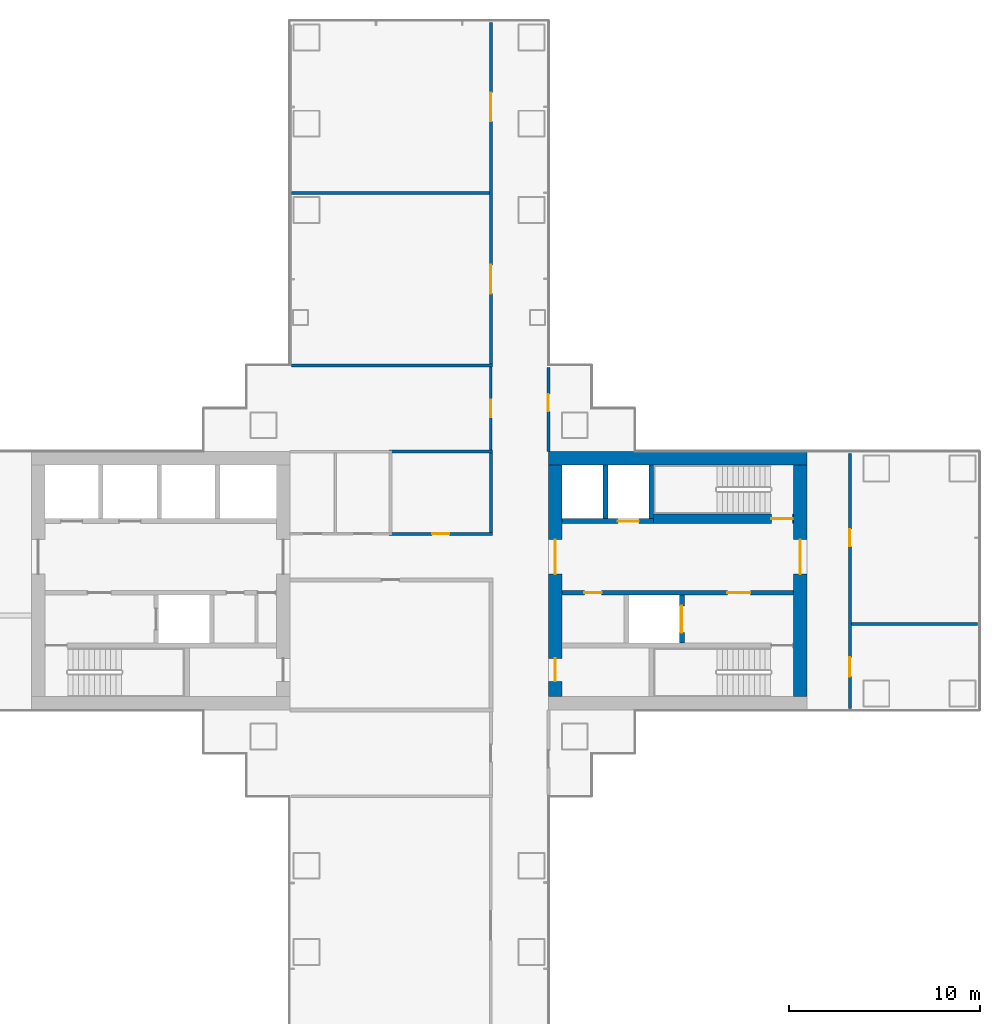
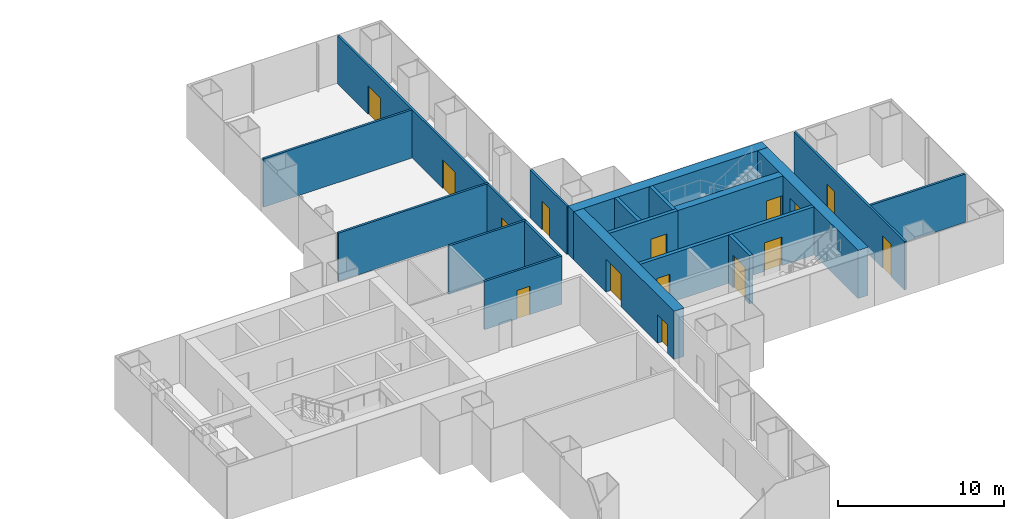
# One storey, part 17 of 21: 19 walls, 15 doors, 15 openings.
"""IFC4 building model written with IfcOpenShell, lengths in metres."""

from ifc_helpers import new_model, si_unit, direction, frame, frame_2d, origin, place, context, subcontext, project, spatial, rectangle, extrude, material, layer, layer_set, type_object, element, fill, save


model = new_model("IFC4")

# Units and contexts
model_context = context("Model", 3, precision=1e-05, world=origin(), true_north=direction((0.0, 1.0)))
body_context = subcontext(model_context, "Body", "Model", "MODEL_VIEW")
ifc_project = project(units=[si_unit("LENGTHUNIT", "METRE"), si_unit("AREAUNIT", "SQUARE_METRE"), si_unit("VOLUMEUNIT", "CUBIC_METRE"), si_unit("PLANEANGLEUNIT", "RADIAN"), si_unit("MASSUNIT", "GRAM", prefix="KILO")], contexts=[model_context])

# Site, building, storey
site_placement = place(None, origin())
site = spatial("IfcSite", under=ifc_project, at=site_placement, CompositionType="ELEMENT")
building_placement = place(site_placement, origin())
building = spatial("IfcBuilding", under=site, at=building_placement, Name="Shamsa Quay Exchange Towers", CompositionType="ELEMENT")
storey_placement = place(building_placement, frame((0.0, 0.0, 61.5)))
storey = spatial("IfcBuildingStorey", under=building, at=storey_placement, Name="L13", CompositionType="ELEMENT", Elevation=61.5)

# Wall
ifc_material_1 = material(Name="Concrete C80/95", Category="concrete")
ifc_layer_1 = layer(ifc_material_1, 0.699951171875)
ifc_layer_set_1 = layer_set([ifc_layer_1], Name="CORE WALL 700 C80/95")
wall_type_1 = type_object("IfcWallType", Name="CORE WALL 700 C80/95", PredefinedType="SHEAR", material=ifc_layer_set_1)
wall_1_placement = place(storey_placement, frame((54.0, 6.39990234375, 0.0), z_axis=(0.0, 0.0, 1.0), x_axis=(-1.0, 0.0, 0.0)))
element("IfcWall", 1, at=wall_1_placement, inside=storey, type_object=wall_type_1, Name="Core wall T2B-R06-PN", PredefinedType="SHEAR", context=body_context, shape_type="SweptSolid", body=[
    extrude(rectangle(XDim=13.5, YDim=0.699951171875, at=frame_2d((6.75, 0.0))), origin(), (0.0, 0.0, 1.0), 3.550048828125),
])

# Wall, opening, door
wall_2_placement = place(storey_placement, frame((53.64990234375, -6.050048828125, 0.0), z_axis=(0.0, 0.0, 1.0), x_axis=(0.0, 1.0, 0.0)))
wall_2 = element("IfcWall", 2, at=wall_2_placement, inside=storey, type_object=wall_type_1, Name="Core wall T2B-R06-PF", PredefinedType="SHEAR", context=body_context, shape_type="SweptSolid", body=[
    extrude(rectangle(XDim=12.10009765625, YDim=0.699951171875, at=frame_2d((6.050048828125, 0.0))), origin(), (0.0, 0.0, 1.0), 3.550048828125),
])
opening_1_placement = place(wall_2_placement, frame((6.39990234375, 0.0, 0.0)))
opening_1 = element("IfcOpeningElement", 3, at=opening_1_placement, cuts=wall_2, Name="Opening T2B-R06-LBD01", PredefinedType="OPENING", context=body_context, shape_type="SweptSolid", body=[
    extrude(rectangle(XDim=1.800048828125, YDim=2.39990234375, at=frame_2d((0.89990234375, 1.199951171875))), frame((0.0, 0.35986328125, 0.0), z_axis=(0.0, -1.0, 0.0), x_axis=(1.0, 0.0, 0.0)), (0.0, 0.0, 1.0), 0.719970703125),
])
ifc_material_2 = material(Name="Steel, fire rated", Category="steel")
door_type_1 = type_object("IfcDoorType", Name="LIFT LOBBY DOOR PAIR 1800", OperationType="DOUBLE_DOOR_SINGLE_SWING", PredefinedType="DOOR", material=ifc_material_2)
door_1_placement = place(opening_1_placement, origin())
door_1 = element("IfcDoor", 4, at=door_1_placement, inside=storey, type_object=door_type_1, Name="T2B-R06-LBD01", OperationType="DOUBLE_DOOR_SINGLE_SWING", OverallHeight=2.39990234375, OverallWidth=1.800048828125, PredefinedType="DOOR", context=body_context, shape_type="SweptSolid", body=[
    extrude(rectangle(XDim=1.800048828125, YDim=2.39990234375, at=frame_2d((0.89990234375, 1.199951171875))), frame((0.0, 0.02490234375, 0.0), z_axis=(0.0, -1.0, 0.0), x_axis=(1.0, 0.0, 0.0)), (0.0, 0.0, 1.0), 0.050048828125),
])
fill(opening_1, door_1)

# Wall, openings, doors
wall_3_placement = place(storey_placement, frame((40.85009765625, -6.050048828125, 0.0), z_axis=(0.0, 0.0, 1.0), x_axis=(0.0, 1.0, 0.0)))
wall_3 = element("IfcWall", 5, at=wall_3_placement, inside=storey, type_object=wall_type_1, Name="Core wall T2B-R06-PB", PredefinedType="SHEAR", context=body_context, shape_type="SweptSolid", body=[
    extrude(rectangle(XDim=12.10009765625, YDim=0.699951171875, at=frame_2d((6.050048828125, 0.0))), origin(), (0.0, 0.0, 1.0), 3.550048828125),
])
opening_2_placement = place(wall_3_placement, frame((0.800048828125, 0.0, 0.0)))
opening_2 = element("IfcOpeningElement", 6, at=opening_2_placement, cuts=wall_3, Name="Opening T2B-R06-RD02", PredefinedType="OPENING", context=body_context, shape_type="SweptSolid", body=[
    extrude(rectangle(XDim=1.199951171875, YDim=2.10009765625, at=frame_2d((0.60009765625, 1.050048828125))), frame((0.0, 0.35986328125, 0.0), z_axis=(0.0, -1.0, 0.0), x_axis=(1.0, 0.0, 0.0)), (0.0, 0.0, 1.0), 0.719970703125),
])
opening_3_placement = place(wall_3_placement, frame((6.39990234375, 0.0, 0.0)))
opening_3 = element("IfcOpeningElement", 7, at=opening_3_placement, cuts=wall_3, Name="Opening T2B-R06-LBD03", PredefinedType="OPENING", context=body_context, shape_type="SweptSolid", body=[
    extrude(rectangle(XDim=1.800048828125, YDim=2.39990234375, at=frame_2d((0.89990234375, 1.199951171875))), frame((0.0, 0.35986328125, 0.0), z_axis=(0.0, -1.0, 0.0), x_axis=(1.0, 0.0, 0.0)), (0.0, 0.0, 1.0), 0.719970703125),
])
door_2_placement = place(opening_3_placement, origin())
door_2 = element("IfcDoor", 8, at=door_2_placement, inside=storey, type_object=door_type_1, Name="T2B-R06-LBD03", OperationType="DOUBLE_DOOR_SINGLE_SWING", OverallHeight=2.39990234375, OverallWidth=1.800048828125, PredefinedType="DOOR", context=body_context, shape_type="SweptSolid", body=[
    extrude(rectangle(XDim=1.800048828125, YDim=2.39990234375, at=frame_2d((0.89990234375, 1.199951171875))), frame((0.0, 0.02490234375, 0.0), z_axis=(0.0, -1.0, 0.0), x_axis=(1.0, 0.0, 0.0)), (0.0, 0.0, 1.0), 0.050048828125),
])
fill(opening_3, door_2)
door_type_2 = type_object("IfcDoorType", Name="RISER ACCESS DOOR 1200", OperationType="SINGLE_SWING_LEFT", PredefinedType="DOOR", material=ifc_material_2)
door_3_placement = place(opening_2_placement, origin())
door_3 = element("IfcDoor", 9, at=door_3_placement, inside=storey, type_object=door_type_2, Name="T2B-R06-RD02", OperationType="SINGLE_SWING_LEFT", OverallHeight=2.10009765625, OverallWidth=1.199951171875, PredefinedType="DOOR", context=body_context, shape_type="SweptSolid", body=[
    extrude(rectangle(XDim=1.199951171875, YDim=2.10009765625, at=frame_2d((0.60009765625, 1.050048828125))), frame((0.0, 0.02490234375, 0.0), z_axis=(0.0, -1.0, 0.0), x_axis=(1.0, 0.0, 0.0)), (0.0, 0.0, 1.0), 0.050048828125),
])
fill(opening_2, door_3)

# Wall, opening, door
ifc_material_3 = material(Name="Laminated fire-resisting glass in a metal frame", Category="glass")
ifc_layer_2 = layer(ifc_material_3, 0.125)
ifc_layer_set_2 = layer_set([ifc_layer_2], Name="Glazed partition 125 mm EI 60")
wall_type_2 = type_object("IfcWallType", Name="Glazed partition 125 mm EI 60", PredefinedType="PARTITIONING", material=ifc_layer_set_2)
wall_4_placement = place(storey_placement, frame((37.5, 6.824951171875, 0.0), z_axis=(0.0, 0.0, 1.0), x_axis=(0.0, 1.0, 0.0)))
wall_4 = element("IfcWall", 10, at=wall_4_placement, inside=storey, type_object=wall_type_2, Name="Partition T2-R06-W01", PredefinedType="PARTITIONING", context=body_context, shape_type="SweptSolid", body=[
    extrude(rectangle(XDim=4.35009765625, YDim=0.125, at=frame_2d((2.175048828125, 0.0))), origin(), (0.0, 0.0, 1.0), 3.550048828125),
])
opening_4_placement = place(wall_4_placement, frame((1.72509765625, 0.0, 0.0)))
opening_4 = element("IfcOpeningElement", 11, at=opening_4_placement, cuts=wall_4, Name="Opening T2-R06-D08", PredefinedType="OPENING", context=body_context, shape_type="SweptSolid", body=[
    extrude(rectangle(XDim=0.89990234375, YDim=2.10009765625, at=frame_2d((0.449951171875, 1.050048828125))), frame((0.0, 0.072509765625, 0.0), z_axis=(0.0, -1.0, 0.0), x_axis=(1.0, 0.0, 0.0)), (0.0, 0.0, 1.0), 0.14501953125),
])
ifc_material_4 = material(Name="Timber door leaf in a metal frame", Category="wood")
door_type_3 = type_object("IfcDoorType", Name="Door 900x2100 FD30S", OperationType="NOTDEFINED", PredefinedType="DOOR", material=ifc_material_4)
door_4_placement = place(opening_4_placement, origin())
door_4 = element("IfcDoor", 12, at=door_4_placement, inside=storey, type_object=door_type_3, Name="Door T2-R06-D08", OperationType="SINGLE_SWING_LEFT", OverallHeight=2.10009765625, OverallWidth=0.89990234375, PredefinedType="DOOR", context=body_context, shape_type="SweptSolid", body=[
    extrude(rectangle(XDim=0.89990234375, YDim=2.10009765625, at=frame_2d((0.449951171875, 1.050048828125))), frame((0.0, 0.02490234375, 0.0), z_axis=(0.0, -1.0, 0.0), x_axis=(1.0, 0.0, 0.0)), (0.0, 0.0, 1.0), 0.050048828125),
])
fill(opening_4, door_4)

# Wall, openings, doors
ifc_material_5 = material(Name="Gypsum board partition on metal studs")
ifc_layer_3 = layer(ifc_material_5, 0.14990234375)
ifc_layer_set_3 = layer_set([ifc_layer_3], Name="Partition 150 mm EI 60")
wall_type_3 = type_object("IfcWallType", Name="Partition 150 mm EI 60", PredefinedType="PARTITIONING", material=ifc_layer_set_3)
wall_5_placement = place(storey_placement, frame((37.5, 11.324951171875, 0.0), z_axis=(0.0, 0.0, 1.0), x_axis=(0.0, 1.0, 0.0)))
wall_5 = element("IfcWall", 13, at=wall_5_placement, inside=storey, type_object=wall_type_3, Name="Partition T2-R06-W03", PredefinedType="PARTITIONING", context=body_context, shape_type="SweptSolid", body=[
    extrude(rectangle(XDim=17.830078125, YDim=0.14990234375, at=frame_2d((8.9150390625, 0.0))), origin(), (0.0, 0.0, 1.0), 3.550048828125),
])
opening_5_placement = place(wall_5_placement, frame((12.675048828125, 0.0, 0.0)))
opening_5 = element("IfcOpeningElement", 14, at=opening_5_placement, cuts=wall_5, Name="Opening T2-R06-D09", PredefinedType="OPENING", context=body_context, shape_type="SweptSolid", body=[
    extrude(rectangle(XDim=1.5, YDim=2.10009765625, at=frame_2d((0.75, 1.050048828125))), frame((0.0, 0.0849609375, 0.0), z_axis=(0.0, -1.0, 0.0), x_axis=(1.0, 0.0, 0.0)), (0.0, 0.0, 1.0), 0.169921875),
])
opening_6_placement = place(wall_5_placement, frame((3.675048828125, 0.0, 0.0)))
opening_6 = element("IfcOpeningElement", 15, at=opening_6_placement, cuts=wall_5, Name="Opening T2-R06-D10", PredefinedType="OPENING", context=body_context, shape_type="SweptSolid", body=[
    extrude(rectangle(XDim=1.5, YDim=2.10009765625, at=frame_2d((0.75, 1.050048828125))), frame((0.0, 0.0849609375, 0.0), z_axis=(0.0, -1.0, 0.0), x_axis=(1.0, 0.0, 0.0)), (0.0, 0.0, 1.0), 0.169921875),
])
door_type_4 = type_object("IfcDoorType", Name="Door 1500x2100 FD30S pair", OperationType="NOTDEFINED", PredefinedType="DOOR", material=ifc_material_4)
door_5_placement = place(opening_5_placement, origin())
door_5 = element("IfcDoor", 16, at=door_5_placement, inside=storey, type_object=door_type_4, Name="Door T2-R06-D09", OperationType="DOUBLE_DOOR_SINGLE_SWING", OverallHeight=2.10009765625, OverallWidth=1.5, PredefinedType="DOOR", context=body_context, shape_type="SweptSolid", body=[
    extrude(rectangle(XDim=1.5, YDim=2.10009765625, at=frame_2d((0.75, 1.050048828125))), frame((0.0, 0.02490234375, 0.0), z_axis=(0.0, -1.0, 0.0), x_axis=(1.0, 0.0, 0.0)), (0.0, 0.0, 1.0), 0.050048828125),
])
fill(opening_5, door_5)
door_6_placement = place(opening_6_placement, origin())
door_6 = element("IfcDoor", 17, at=door_6_placement, inside=storey, type_object=door_type_4, Name="Door T2-R06-D10", OperationType="DOUBLE_DOOR_SINGLE_SWING", OverallHeight=2.10009765625, OverallWidth=1.5, PredefinedType="DOOR", context=body_context, shape_type="SweptSolid", body=[
    extrude(rectangle(XDim=1.5, YDim=2.10009765625, at=frame_2d((0.75, 1.050048828125))), frame((0.0, 0.02490234375, 0.0), z_axis=(0.0, -1.0, 0.0), x_axis=(1.0, 0.0, 0.0)), (0.0, 0.0, 1.0), 0.050048828125),
])
fill(opening_6, door_6)

# Wall
wall_6_placement = place(storey_placement, frame((37.5, 2.525146484375, 0.0), z_axis=(0.0, 0.0, 1.0), x_axis=(0.0, 1.0, 0.0)))
element("IfcWall", 18, at=wall_6_placement, inside=storey, type_object=wall_type_3, Name="Partition T2-R06-W04", PredefinedType="PARTITIONING", context=body_context, shape_type="SweptSolid", body=[
    extrude(rectangle(XDim=4.14990234375, YDim=0.14990234375, at=frame_2d((2.074951171875, 0.0))), origin(), (0.0, 0.0, 1.0), 3.550048828125),
])

# Wall, opening, door
wall_7_placement = place(storey_placement, frame((32.175048828125, 2.4501953125, 0.0)))
wall_7 = element("IfcWall", 19, at=wall_7_placement, inside=storey, type_object=wall_type_3, Name="Partition T2-R06-W06", PredefinedType="PARTITIONING", context=body_context, shape_type="SweptSolid", body=[
    extrude(rectangle(XDim=5.39990234375, YDim=0.14990234375, at=frame_2d((2.699951171875, 0.0))), origin(), (0.0, 0.0, 1.0), 3.550048828125),
])
opening_7_placement = place(wall_7_placement, frame((2.25, 0.0, 0.0)))
opening_7 = element("IfcOpeningElement", 20, at=opening_7_placement, cuts=wall_7, Name="Opening T2-R06-D07", PredefinedType="OPENING", context=body_context, shape_type="SweptSolid", body=[
    extrude(rectangle(XDim=0.89990234375, YDim=2.10009765625, at=frame_2d((0.449951171875, 1.050048828125))), frame((0.0, 0.0849609375, 0.0), z_axis=(0.0, -1.0, 0.0), x_axis=(1.0, 0.0, 0.0)), (0.0, 0.0, 1.0), 0.169921875),
])
door_7_placement = place(opening_7_placement, origin())
door_7 = element("IfcDoor", 21, at=door_7_placement, inside=storey, type_object=door_type_3, Name="Door T2-R06-D07", OperationType="SINGLE_SWING_RIGHT", OverallHeight=2.10009765625, OverallWidth=0.89990234375, PredefinedType="DOOR", context=body_context, shape_type="SweptSolid", body=[
    extrude(rectangle(XDim=0.89990234375, YDim=2.10009765625, at=frame_2d((0.449951171875, 1.050048828125))), frame((0.0, 0.02490234375, 0.0), z_axis=(0.0, -1.0, 0.0), x_axis=(1.0, 0.0, 0.0)), (0.0, 0.0, 1.0), 0.050048828125),
])
fill(opening_7, door_7)

wall_8_placement = place(storey_placement, frame((40.5, 11.155029296875, 0.0), z_axis=(0.0, 0.0, 1.0), x_axis=(0.0, -1.0, 0.0)))
wall_8 = element("IfcWall", 22, at=wall_8_placement, inside=storey, type_object=wall_type_3, Name="Partition T2-R06-W11", PredefinedType="PARTITIONING", context=body_context, shape_type="SweptSolid", body=[
    extrude(rectangle(XDim=4.405029296875, YDim=0.14990234375, at=frame_2d((2.20263671875, 0.0))), origin(), (0.0, 0.0, 1.0), 3.550048828125),
])
opening_8_placement = place(wall_8_placement, frame((1.405029296875, 0.0, 0.0)))
opening_8 = element("IfcOpeningElement", 23, at=opening_8_placement, cuts=wall_8, Name="Opening T2-R06-D04", PredefinedType="OPENING", context=body_context, shape_type="SweptSolid", body=[
    extrude(rectangle(XDim=0.89990234375, YDim=2.10009765625, at=frame_2d((0.449951171875, 1.050048828125))), frame((0.0, 0.0849609375, 0.0), z_axis=(0.0, -1.0, 0.0), x_axis=(1.0, 0.0, 0.0)), (0.0, 0.0, 1.0), 0.169921875),
])
door_8_placement = place(opening_8_placement, origin())
door_8 = element("IfcDoor", 24, at=door_8_placement, inside=storey, type_object=door_type_3, Name="Door T2-R06-D04", OperationType="SINGLE_SWING_LEFT", OverallHeight=2.10009765625, OverallWidth=0.89990234375, PredefinedType="DOOR", context=body_context, shape_type="SweptSolid", body=[
    extrude(rectangle(XDim=0.89990234375, YDim=2.10009765625, at=frame_2d((0.449951171875, 1.050048828125))), frame((0.0, 0.02490234375, 0.0), z_axis=(0.0, -1.0, 0.0), x_axis=(1.0, 0.0, 0.0)), (0.0, 0.0, 1.0), 0.050048828125),
])
fill(opening_8, door_8)

# Wall, openings, doors
wall_9_placement = place(storey_placement, frame((56.25, 6.655029296875, 0.0), z_axis=(0.0, 0.0, 1.0), x_axis=(0.0, -1.0, 0.0)))
wall_9 = element("IfcWall", 25, at=wall_9_placement, inside=storey, type_object=wall_type_3, Name="Partition T2-R06-W12", PredefinedType="PARTITIONING", context=body_context, shape_type="SweptSolid", body=[
    extrude(rectangle(XDim=13.31005859375, YDim=0.14990234375, at=frame_2d((6.655029296875, 0.0))), origin(), (0.0, 0.0, 1.0), 3.550048828125),
])
opening_9_placement = place(wall_9_placement, frame((10.655029296875, 0.0, 0.0)))
opening_9 = element("IfcOpeningElement", 26, at=opening_9_placement, cuts=wall_9, Name="Opening T2-R06-D01", PredefinedType="OPENING", context=body_context, shape_type="SweptSolid", body=[
    extrude(rectangle(XDim=1.0, YDim=2.39990234375, at=frame_2d((0.5, 1.199951171875))), frame((0.0, 0.0849609375, 0.0), z_axis=(0.0, -1.0, 0.0), x_axis=(1.0, 0.0, 0.0)), (0.0, 0.0, 1.0), 0.169921875),
])
opening_10_placement = place(wall_9_placement, frame((3.955078125, 0.0, 0.0)))
opening_10 = element("IfcOpeningElement", 27, at=opening_10_placement, cuts=wall_9, Name="Opening T2-R06-D02", PredefinedType="OPENING", context=body_context, shape_type="SweptSolid", body=[
    extrude(rectangle(XDim=0.89990234375, YDim=2.10009765625, at=frame_2d((0.449951171875, 1.050048828125))), frame((0.0, 0.0849609375, 0.0), z_axis=(0.0, -1.0, 0.0), x_axis=(1.0, 0.0, 0.0)), (0.0, 0.0, 1.0), 0.169921875),
])
door_type_5 = type_object("IfcDoorType", Name="Door 1000x2400 FD30S", OperationType="NOTDEFINED", PredefinedType="DOOR", material=ifc_material_4)
door_9_placement = place(opening_9_placement, origin())
door_9 = element("IfcDoor", 28, at=door_9_placement, inside=storey, type_object=door_type_5, Name="Door T2-R06-D01", OperationType="SINGLE_SWING_LEFT", OverallHeight=2.39990234375, OverallWidth=1.0, PredefinedType="DOOR", context=body_context, shape_type="SweptSolid", body=[
    extrude(rectangle(XDim=1.0, YDim=2.39990234375, at=frame_2d((0.5, 1.199951171875))), frame((0.0, 0.02490234375, 0.0), z_axis=(0.0, -1.0, 0.0), x_axis=(1.0, 0.0, 0.0)), (0.0, 0.0, 1.0), 0.050048828125),
])
fill(opening_9, door_9)
door_10_placement = place(opening_10_placement, origin())
door_10 = element("IfcDoor", 29, at=door_10_placement, inside=storey, type_object=door_type_3, Name="Door T2-R06-D02", OperationType="SINGLE_SWING_RIGHT", OverallHeight=2.10009765625, OverallWidth=0.89990234375, PredefinedType="DOOR", context=body_context, shape_type="SweptSolid", body=[
    extrude(rectangle(XDim=0.89990234375, YDim=2.10009765625, at=frame_2d((0.449951171875, 1.050048828125))), frame((0.0, 0.02490234375, 0.0), z_axis=(0.0, -1.0, 0.0), x_axis=(1.0, 0.0, 0.0)), (0.0, 0.0, 1.0), 0.050048828125),
])
fill(opening_10, door_10)

# Walls
wall_10_placement = place(storey_placement, frame((37.574951171875, 11.25, 0.0), z_axis=(0.0, 0.0, 1.0), x_axis=(-1.0, 0.0, 0.0)))
element("IfcWall", 30, at=wall_10_placement, inside=storey, type_object=wall_type_3, Name="Partition T2-R06-W13", PredefinedType="PARTITIONING", context=body_context, shape_type="SweptSolid", body=[
    extrude(rectangle(XDim=10.47998046875, YDim=0.14990234375, at=frame_2d((5.239990234375, 0.0))), origin(), (0.0, 0.0, 1.0), 3.550048828125),
])
wall_11_placement = place(storey_placement, frame((32.175048828125, 6.75, 0.0)))
element("IfcWall", 31, at=wall_11_placement, inside=storey, type_object=wall_type_3, Name="Partition T2-R06-W14", PredefinedType="PARTITIONING", context=body_context, shape_type="SweptSolid", body=[
    extrude(rectangle(XDim=5.39990234375, YDim=0.14990234375, at=frame_2d((2.699951171875, 0.0))), origin(), (0.0, 0.0, 1.0), 3.550048828125),
])
wall_12_placement = place(storey_placement, frame((37.425048828125, 20.25, 0.0), z_axis=(0.0, 0.0, 1.0), x_axis=(-1.0, 0.0, 0.0)))
element("IfcWall", 32, at=wall_12_placement, inside=storey, type_object=wall_type_3, Name="Partition T2-R06-W16", PredefinedType="PARTITIONING", context=body_context, shape_type="SweptSolid", body=[
    extrude(rectangle(XDim=10.330078125, YDim=0.14990234375, at=frame_2d((5.1650390625, 0.0))), origin(), (0.0, 0.0, 1.0), 3.550048828125),
])
wall_13_placement = place(storey_placement, frame((62.905029296875, -2.25, 0.0), z_axis=(0.0, 0.0, 1.0), x_axis=(-1.0, 0.0, 0.0)))
element("IfcWall", 33, at=wall_13_placement, inside=storey, type_object=wall_type_3, Name="Partition T2-R06-W21", PredefinedType="PARTITIONING", context=body_context, shape_type="SweptSolid", body=[
    extrude(rectangle(XDim=6.580078125, YDim=0.14990234375, at=frame_2d((3.2900390625, 0.0))), origin(), (0.0, 0.0, 1.0), 3.550048828125),
])

# Wall, openings, doors
ifc_material_6 = material(Name="Concrete C50/60", Category="concrete")
ifc_layer_4 = layer(ifc_material_6, 0.25)
ifc_layer_set_4 = layer_set([ifc_layer_4], Name="SHAFT WALL 250 C50/60")
wall_type_4 = type_object("IfcWallType", Name="SHAFT WALL 250 C50/60", PredefinedType="SHEAR", material=ifc_layer_set_4)
wall_14_placement = place(storey_placement, frame((53.300048828125, -0.625, 0.0), z_axis=(0.0, 0.0, 1.0), x_axis=(-1.0, 0.0, 0.0)))
wall_14 = element("IfcWall", 34, at=wall_14_placement, inside=storey, type_object=wall_type_4, Name="Shaft wall T2B-R06-B", PredefinedType="SHEAR", context=body_context, shape_type="SweptSolid", body=[
    extrude(rectangle(XDim=12.10009765625, YDim=0.25, at=frame_2d((6.050048828125, 0.0))), origin(), (0.0, 0.0, 1.0), 3.550048828125),
])
opening_11_placement = place(wall_14_placement, frame((2.25, 0.0, 0.0)))
opening_11 = element("IfcOpeningElement", 35, at=opening_11_placement, cuts=wall_14, Name="Opening T2B-R06-FD05", PredefinedType="OPENING", context=body_context, shape_type="SweptSolid", body=[
    extrude(rectangle(XDim=1.199951171875, YDim=2.10009765625, at=frame_2d((0.60009765625, 1.050048828125))), frame((0.0, 0.135009765625, 0.0), z_axis=(0.0, -1.0, 0.0), x_axis=(1.0, 0.0, 0.0)), (0.0, 0.0, 1.0), 0.27001953125),
])
opening_12_placement = place(wall_14_placement, frame((10.02490234375, 0.0, 0.0)))
opening_12 = element("IfcOpeningElement", 36, at=opening_12_placement, cuts=wall_14, Name="Opening T2B-R06-SV06", PredefinedType="OPENING", context=body_context, shape_type="SweptSolid", body=[
    extrude(rectangle(XDim=0.89990234375, YDim=2.10009765625, at=frame_2d((0.449951171875, 1.050048828125))), frame((0.0, 0.135009765625, 0.0), z_axis=(0.0, -1.0, 0.0), x_axis=(1.0, 0.0, 0.0)), (0.0, 0.0, 1.0), 0.27001953125),
])
door_type_6 = type_object("IfcDoorType", Name="FIRE SERVICE LOBBY DOOR 1200", OperationType="SINGLE_SWING_LEFT", PredefinedType="DOOR", material=ifc_material_2)
door_11_placement = place(opening_11_placement, origin())
door_11 = element("IfcDoor", 37, at=door_11_placement, inside=storey, type_object=door_type_6, Name="T2B-R06-FD05", OperationType="SINGLE_SWING_LEFT", OverallHeight=2.10009765625, OverallWidth=1.199951171875, PredefinedType="DOOR", context=body_context, shape_type="SweptSolid", body=[
    extrude(rectangle(XDim=1.199951171875, YDim=2.10009765625, at=frame_2d((0.60009765625, 1.050048828125))), frame((0.0, 0.02490234375, 0.0), z_axis=(0.0, -1.0, 0.0), x_axis=(1.0, 0.0, 0.0)), (0.0, 0.0, 1.0), 0.050048828125),
])
fill(opening_11, door_11)
door_type_7 = type_object("IfcDoorType", Name="SERVICE ROOM DOOR 900", OperationType="SINGLE_SWING_LEFT", PredefinedType="DOOR", material=ifc_material_2)
door_12_placement = place(opening_12_placement, origin())
door_12 = element("IfcDoor", 38, at=door_12_placement, inside=storey, type_object=door_type_7, Name="T2B-R06-SV06", OperationType="SINGLE_SWING_RIGHT", OverallHeight=2.10009765625, OverallWidth=0.89990234375, PredefinedType="DOOR", context=body_context, shape_type="SweptSolid", body=[
    extrude(rectangle(XDim=0.89990234375, YDim=2.10009765625, at=frame_2d((0.449951171875, 1.050048828125))), frame((0.0, 0.02490234375, 0.0), z_axis=(0.0, -1.0, 0.0), x_axis=(1.0, 0.0, 0.0)), (0.0, 0.0, 1.0), 0.050048828125),
])
fill(opening_12, door_12)

# Wall, opening, door
wall_15_placement = place(storey_placement, frame((47.47509765625, -3.25, 0.0), z_axis=(0.0, 0.0, 1.0), x_axis=(0.0, 1.0, 0.0)))
wall_15 = element("IfcWall", 39, at=wall_15_placement, inside=storey, type_object=wall_type_4, Name="Shaft wall T2B-R06-FFF", PredefinedType="SHEAR", context=body_context, shape_type="SweptSolid", body=[
    extrude(rectangle(XDim=2.5, YDim=0.25, at=frame_2d((1.25, 0.0))), origin(), (0.0, 0.0, 1.0), 3.550048828125),
])
opening_13_placement = place(wall_15_placement, frame((0.550048828125, 0.0, 0.0)))
opening_13 = element("IfcOpeningElement", 40, at=opening_13_placement, cuts=wall_15, Name="Opening T2B-R06-LDG07", PredefinedType="OPENING", context=body_context, shape_type="SweptSolid", body=[
    extrude(rectangle(XDim=1.39990234375, YDim=2.39990234375, at=frame_2d((0.699951171875, 1.199951171875))), frame((0.0, 0.135009765625, 0.0), z_axis=(0.0, -1.0, 0.0), x_axis=(1.0, 0.0, 0.0)), (0.0, 0.0, 1.0), 0.27001953125),
])
door_type_8 = type_object("IfcDoorType", Name="GOODS LIFT LANDING DOOR 1400", OperationType="SLIDING_TO_LEFT", PredefinedType="DOOR", material=ifc_material_2)
door_13_placement = place(opening_13_placement, origin())
door_13 = element("IfcDoor", 41, at=door_13_placement, inside=storey, type_object=door_type_8, Name="T2B-R06-LDG07", OperationType="SLIDING_TO_LEFT", OverallHeight=2.39990234375, OverallWidth=1.39990234375, PredefinedType="DOOR", context=body_context, shape_type="SweptSolid", body=[
    extrude(rectangle(XDim=1.39990234375, YDim=2.39990234375, at=frame_2d((0.699951171875, 1.199951171875))), frame((0.0, 0.02490234375, 0.0), z_axis=(0.0, -1.0, 0.0), x_axis=(1.0, 0.0, 0.0)), (0.0, 0.0, 1.0), 0.050048828125),
])
fill(opening_13, door_13)

wall_16_placement = place(storey_placement, frame((46.0, 3.125, 0.0), z_axis=(0.0, 0.0, 1.0), x_axis=(-1.0, 0.0, 0.0)))
wall_16 = element("IfcWall", 42, at=wall_16_placement, inside=storey, type_object=wall_type_4, Name="Shaft wall T2B-R06-N2", PredefinedType="SHEAR", context=body_context, shape_type="SweptSolid", body=[
    extrude(rectangle(XDim=4.800048828125, YDim=0.25, at=frame_2d((2.39990234375, 0.0))), origin(), (0.0, 0.0, 1.0), 3.550048828125),
])
opening_14_placement = place(wall_16_placement, frame((0.77490234375, 0.0, 0.0)))
opening_14 = element("IfcOpeningElement", 43, at=opening_14_placement, cuts=wall_16, Name="Opening T2B-R06-LD09", PredefinedType="OPENING", context=body_context, shape_type="SweptSolid", body=[
    extrude(rectangle(XDim=1.10009765625, YDim=2.10009765625, at=frame_2d((0.550048828125, 1.050048828125))), frame((0.0, 0.135009765625, 0.0), z_axis=(0.0, -1.0, 0.0), x_axis=(1.0, 0.0, 0.0)), (0.0, 0.0, 1.0), 0.27001953125),
])
door_type_9 = type_object("IfcDoorType", Name="LANDING DOOR 1100", OperationType="SLIDING_TO_LEFT", PredefinedType="DOOR", material=ifc_material_2)
door_14_placement = place(opening_14_placement, origin())
door_14 = element("IfcDoor", 44, at=door_14_placement, inside=storey, type_object=door_type_9, Name="T2B-R06-LD09", OperationType="SLIDING_TO_LEFT", OverallHeight=2.10009765625, OverallWidth=1.10009765625, PredefinedType="DOOR", context=body_context, shape_type="SweptSolid", body=[
    extrude(rectangle(XDim=1.10009765625, YDim=2.10009765625, at=frame_2d((0.550048828125, 1.050048828125))), frame((0.0, 0.02490234375, 0.0), z_axis=(0.0, -1.0, 0.0), x_axis=(1.0, 0.0, 0.0)), (0.0, 0.0, 1.0), 0.050048828125),
])
fill(opening_14, door_14)

# Walls
for number, where, z_axis, x_axis, name in (
    (45, (45.875, 3.25, 0.0), (0.0, 0.0, 1.0), (0.0, 1.0, 0.0), "Shaft wall T2B-R06-STF2"),
    (46, (43.47509765625, 3.25, 0.0), (0.0, 0.0, 1.0), (0.0, 1.0, 0.0), "Shaft wall T2B-R06-D0"),
):
    element("IfcWall", number, at=place(storey_placement, frame(where, z_axis=z_axis, x_axis=x_axis)), inside=storey, type_object=wall_type_4, Name=name, PredefinedType="SHEAR", context=body_context, shape_type="SweptSolid", body=[
        extrude(rectangle(XDim=2.800048828125, YDim=0.25, at=frame_2d((1.39990234375, 0.0))), origin(), (0.0, 0.0, 1.0), 3.550048828125),
    ])

# Wall, opening, door
ifc_layer_5 = layer(ifc_material_6, 0.5)
ifc_layer_set_5 = layer_set([ifc_layer_5], Name="SHAFT WALL 500 C50/60")
wall_type_5 = type_object("IfcWallType", Name="SHAFT WALL 500 C50/60", PredefinedType="SHEAR", material=ifc_layer_set_5)
wall_17_placement = place(storey_placement, frame((46.0, 3.25, 0.0)))
wall_17 = element("IfcWall", 47, at=wall_17_placement, inside=storey, type_object=wall_type_5, Name="Shaft wall T2B-R06-N", PredefinedType="SHEAR", context=body_context, shape_type="SweptSolid", body=[
    extrude(rectangle(XDim=7.300048828125, YDim=0.5, at=frame_2d((3.64990234375, 0.0))), origin(), (0.0, 0.0, 1.0), 3.550048828125),
])
opening_15_placement = place(wall_17_placement, frame((6.14990234375, 0.0, 0.0)))
opening_15 = element("IfcOpeningElement", 48, at=opening_15_placement, cuts=wall_17, Name="Opening T2B-R06-SD08", PredefinedType="OPENING", context=body_context, shape_type="SweptSolid", body=[
    extrude(rectangle(XDim=1.10009765625, YDim=2.10009765625, at=frame_2d((0.550048828125, 1.050048828125))), frame((0.0, 0.260009765625, 0.0), z_axis=(0.0, -1.0, 0.0), x_axis=(1.0, 0.0, 0.0)), (0.0, 0.0, 1.0), 0.52001953125),
])
door_type_10 = type_object("IfcDoorType", Name="STAIR DOOR 1100", OperationType="SINGLE_SWING_LEFT", PredefinedType="DOOR", material=ifc_material_2)
door_15_placement = place(opening_15_placement, origin())
door_15 = element("IfcDoor", 49, at=door_15_placement, inside=storey, type_object=door_type_10, Name="T2B-R06-SD08", OperationType="SINGLE_SWING_RIGHT", OverallHeight=2.10009765625, OverallWidth=1.10009765625, PredefinedType="DOOR", context=body_context, shape_type="SweptSolid", body=[
    extrude(rectangle(XDim=1.10009765625, YDim=2.10009765625, at=frame_2d((0.550048828125, 1.050048828125))), frame((0.0, 0.02490234375, 0.0), z_axis=(0.0, -1.0, 0.0), x_axis=(1.0, 0.0, 0.0)), (0.0, 0.0, 1.0), 0.050048828125),
])
fill(opening_15, door_15)

save(model, "model.ifc")
